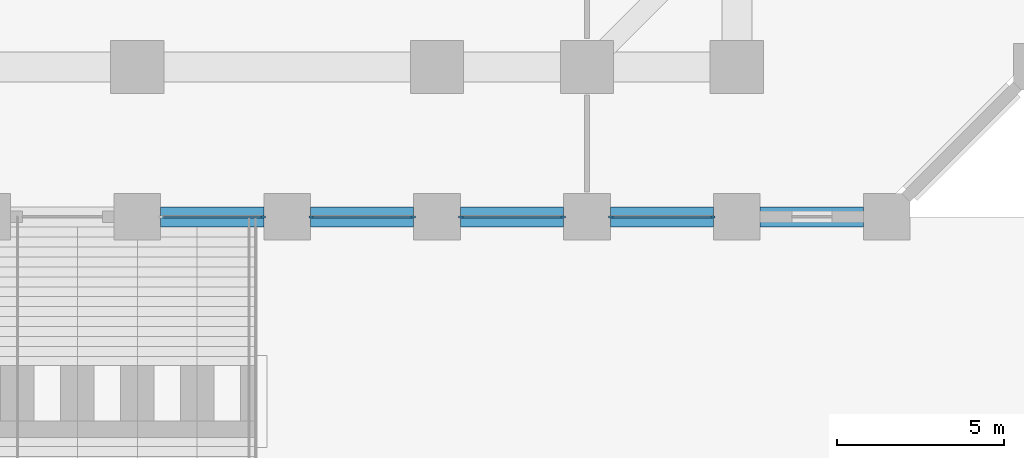
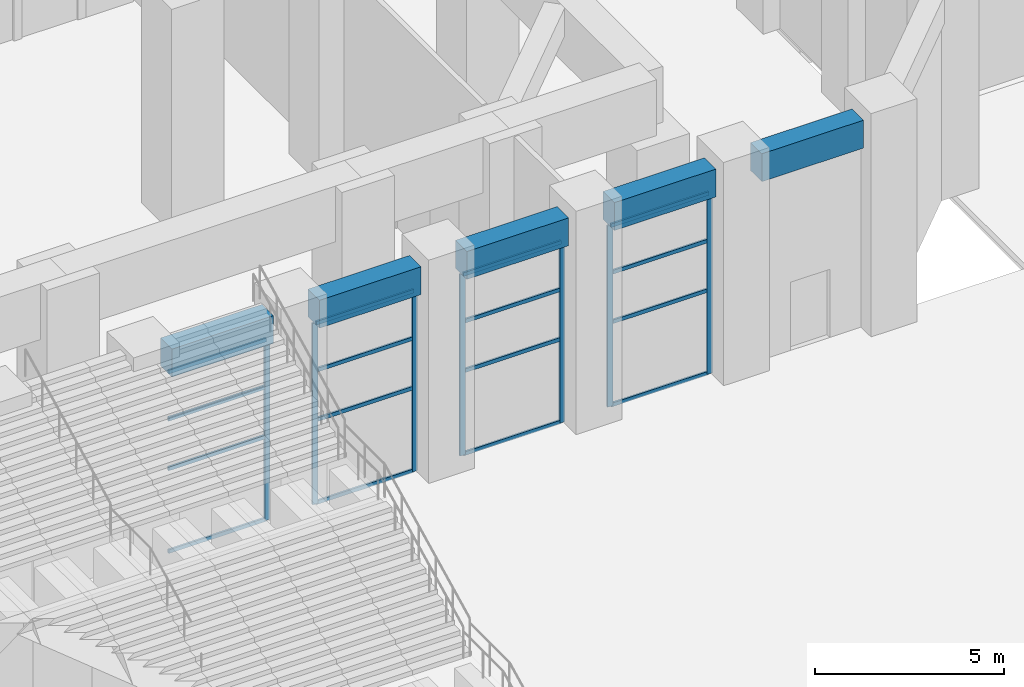
# One storey, part 4 of 30: 23 members, 5 beams, 4 elements without a shape of their own.
"""IFC4 building model written with IfcOpenShell, lengths in metres."""

from ifc_helpers import new_model, si_unit, direction, frame, origin, origin_2d, place, context, subcontext, project, spatial, rectangle, extrude, material, material_profile, profile_set, type_object, element, aggregate, save


model = new_model("IFC4")

# Units and contexts
model_context = context("Model", 3, precision=1e-05, world=origin(), true_north=direction((0.0, 1.0)))
body_context = subcontext(model_context, "Body", "Model", "MODEL_VIEW")
ifc_project = project(units=[si_unit("LENGTHUNIT", "METRE"), si_unit("AREAUNIT", "SQUARE_METRE"), si_unit("VOLUMEUNIT", "CUBIC_METRE"), si_unit("PLANEANGLEUNIT", "RADIAN"), si_unit("MASSUNIT", "GRAM", prefix="KILO")], contexts=[model_context])

# Site, building, storey
site_placement = place(None, origin())
site = spatial("IfcSite", under=ifc_project, at=site_placement, CompositionType="ELEMENT")
building_placement = place(site_placement, origin())
building = spatial("IfcBuilding", under=site, at=building_placement, Name="Corbel Stack Research Tower", CompositionType="ELEMENT")
storey_placement = place(building_placement, origin())
storey = spatial("IfcBuildingStorey", under=building, at=storey_placement, Name="L00", CompositionType="ELEMENT", Elevation=0.0)

# Curtain wall, member
ifc_material_1 = material(Name="Aluminium frame, clear glass", Category="aluminium")
curtain_wall_type = type_object("IfcCurtainWallType", Name="Storefront curtain wall CW1", PredefinedType="NOTDEFINED", material=ifc_material_1)
curtain_wall_1_placement = place(storey_placement, origin())
curtain_wall_1 = element("IfcCurtainWall", 1, at=curtain_wall_1_placement, inside=storey, type_object=curtain_wall_type, Name="Storefront curtain wall CW1 S09", PredefinedType="NOTDEFINED")
ifc_material_2 = material(Name="Aluminium mullion", Category="aluminium")
ifc_material_profile_1 = material_profile(ifc_material_2, rectangle(XDim=0.06005859375, YDim=0.159912109375, at=origin_2d()), Name="Mullion 60 x 160")
ifc_profile_set_1 = profile_set([ifc_material_profile_1], Name="Aluminium mullion")
member_type_1 = type_object("IfcMemberType", Name="Curtain wall mullion 60 x 160", PredefinedType="MULLION", material=ifc_profile_set_1)
member_1_placement = place(storey_placement, frame((12.77001953125, -31.5, 0.0), z_axis=(0.0, 0.0, 1.0), x_axis=(0.0, 1.0, 0.0)))
member_1 = element("IfcMember", 2, at=member_1_placement, type_object=member_type_1, Name="CW1 S09 mullion 2", PredefinedType="MULLION", context=body_context, shape_type="SweptSolid", body=[
    extrude(rectangle(XDim=0.06005859375, YDim=0.159912109375, at=origin_2d()), origin(), (0.0, 0.0, 1.0), 5.85009765625),
])

# Curtain wall, members
curtain_wall_2_placement = place(storey_placement, origin())
curtain_wall_2 = element("IfcCurtainWall", 3, at=curtain_wall_2_placement, inside=storey, type_object=curtain_wall_type, Name="Storefront curtain wall CW1 S10", PredefinedType="NOTDEFINED")
member_2_placement = place(storey_placement, frame((14.22998046875, -31.5, 0.0), z_axis=(0.0, 0.0, 1.0), x_axis=(0.0, 1.0, 0.0)))
member_2 = element("IfcMember", 4, at=member_2_placement, type_object=member_type_1, Name="CW1 S10 mullion 1", PredefinedType="MULLION", context=body_context, shape_type="SweptSolid", body=[
    extrude(rectangle(XDim=0.06005859375, YDim=0.159912109375, at=origin_2d()), origin(), (0.0, 0.0, 1.0), 5.85009765625),
])
member_3_placement = place(storey_placement, frame((17.27001953125, -31.5, 0.0), z_axis=(0.0, 0.0, 1.0), x_axis=(0.0, 1.0, 0.0)))
member_3 = element("IfcMember", 5, at=member_3_placement, type_object=member_type_1, Name="CW1 S10 mullion 2", PredefinedType="MULLION", context=body_context, shape_type="SweptSolid", body=[
    extrude(rectangle(XDim=0.06005859375, YDim=0.159912109375, at=origin_2d()), origin(), (0.0, 0.0, 1.0), 5.85009765625),
])

curtain_wall_3_placement = place(storey_placement, origin())
curtain_wall_3 = element("IfcCurtainWall", 6, at=curtain_wall_3_placement, inside=storey, type_object=curtain_wall_type, Name="Storefront curtain wall CW1 S11", PredefinedType="NOTDEFINED")
member_4_placement = place(storey_placement, frame((18.72998046875, -31.5, 0.0), z_axis=(0.0, 0.0, 1.0), x_axis=(0.0, 1.0, 0.0)))
member_4 = element("IfcMember", 7, at=member_4_placement, type_object=member_type_1, Name="CW1 S11 mullion 1", PredefinedType="MULLION", context=body_context, shape_type="SweptSolid", body=[
    extrude(rectangle(XDim=0.06005859375, YDim=0.159912109375, at=origin_2d()), origin(), (0.0, 0.0, 1.0), 5.85009765625),
])
member_5_placement = place(storey_placement, frame((21.77001953125, -31.5, 0.0), z_axis=(0.0, 0.0, 1.0), x_axis=(0.0, 1.0, 0.0)))
member_5 = element("IfcMember", 8, at=member_5_placement, type_object=member_type_1, Name="CW1 S11 mullion 2", PredefinedType="MULLION", context=body_context, shape_type="SweptSolid", body=[
    extrude(rectangle(XDim=0.06005859375, YDim=0.159912109375, at=origin_2d()), origin(), (0.0, 0.0, 1.0), 5.85009765625),
])

curtain_wall_4_placement = place(storey_placement, origin())
curtain_wall_4 = element("IfcCurtainWall", 9, at=curtain_wall_4_placement, inside=storey, type_object=curtain_wall_type, Name="Storefront curtain wall CW1 S12", PredefinedType="NOTDEFINED")
member_6_placement = place(storey_placement, frame((23.22998046875, -31.5, 0.0), z_axis=(0.0, 0.0, 1.0), x_axis=(0.0, 1.0, 0.0)))
member_6 = element("IfcMember", 10, at=member_6_placement, type_object=member_type_1, Name="CW1 S12 mullion 1", PredefinedType="MULLION", context=body_context, shape_type="SweptSolid", body=[
    extrude(rectangle(XDim=0.06005859375, YDim=0.159912109375, at=origin_2d()), origin(), (0.0, 0.0, 1.0), 5.85009765625),
])
member_7_placement = place(storey_placement, frame((26.27001953125, -31.5, 0.0), z_axis=(0.0, 0.0, 1.0), x_axis=(0.0, 1.0, 0.0)))
member_7 = element("IfcMember", 11, at=member_7_placement, type_object=member_type_1, Name="CW1 S12 mullion 2", PredefinedType="MULLION", context=body_context, shape_type="SweptSolid", body=[
    extrude(rectangle(XDim=0.06005859375, YDim=0.159912109375, at=origin_2d()), origin(), (0.0, 0.0, 1.0), 5.85009765625),
])

# Member
ifc_material_3 = material(Name="Aluminium transom", Category="aluminium")
ifc_material_profile_2 = material_profile(ifc_material_3, rectangle(XDim=0.06005859375, YDim=0.1201171875, at=origin_2d()), Name="Transom 60 x 120")
ifc_profile_set_2 = profile_set([ifc_material_profile_2], Name="Aluminium transom")
member_type_2 = type_object("IfcMemberType", Name="Curtain wall transom 60 x 120", PredefinedType="USERDEFINED", material=ifc_profile_set_2)
member_8_placement = place(storey_placement, frame((9.760009765625, -31.5, 0.030029296875), z_axis=(1.0, 0.0, 0.0), x_axis=(0.0, 1.0, 0.0)))
member_8 = element("IfcMember", 12, at=member_8_placement, type_object=member_type_2, Name="CW1 S09 transom 1.1", ObjectType="TRANSOM", PredefinedType="USERDEFINED", context=body_context, shape_type="SweptSolid", body=[
    extrude(rectangle(XDim=0.06005859375, YDim=0.1201171875, at=origin_2d()), origin(), (0.0, 0.0, 1.0), 2.97998046875),
])

member_9_placement = place(storey_placement, frame((9.760009765625, -31.5, 2.699951171875), z_axis=(1.0, 0.0, 0.0), x_axis=(0.0, 1.0, 0.0)))
member_9 = element("IfcMember", 13, at=member_9_placement, type_object=member_type_2, Name="CW1 S09 transom 1.2", ObjectType="TRANSOM", PredefinedType="USERDEFINED", context=body_context, shape_type="SweptSolid", body=[
    extrude(rectangle(XDim=0.06005859375, YDim=0.1201171875, at=origin_2d()), origin(), (0.0, 0.0, 1.0), 2.97998046875),
])

member_10_placement = place(storey_placement, frame((9.760009765625, -31.5, 4.300048828125), z_axis=(1.0, 0.0, 0.0), x_axis=(0.0, 1.0, 0.0)))
member_10 = element("IfcMember", 14, at=member_10_placement, type_object=member_type_2, Name="CW1 S09 transom 1.3", ObjectType="TRANSOM", PredefinedType="USERDEFINED", context=body_context, shape_type="SweptSolid", body=[
    extrude(rectangle(XDim=0.06005859375, YDim=0.1201171875, at=origin_2d()), origin(), (0.0, 0.0, 1.0), 2.97998046875),
])

member_11_placement = place(storey_placement, frame((9.760009765625, -31.5, 5.820068359375), z_axis=(1.0, 0.0, 0.0), x_axis=(0.0, 1.0, 0.0)))
member_11 = element("IfcMember", 15, at=member_11_placement, type_object=member_type_2, Name="CW1 S09 transom 1.4", ObjectType="TRANSOM", PredefinedType="USERDEFINED", context=body_context, shape_type="SweptSolid", body=[
    extrude(rectangle(XDim=0.06005859375, YDim=0.1201171875, at=origin_2d()), origin(), (0.0, 0.0, 1.0), 2.97998046875),
])

aggregate(curtain_wall_1, [member_1, member_8, member_9, member_10, member_11])

member_12_placement = place(storey_placement, frame((14.260009765625, -31.5, 0.030029296875), z_axis=(1.0, 0.0, 0.0), x_axis=(0.0, 1.0, 0.0)))
member_12 = element("IfcMember", 16, at=member_12_placement, type_object=member_type_2, Name="CW1 S10 transom 1.1", ObjectType="TRANSOM", PredefinedType="USERDEFINED", context=body_context, shape_type="SweptSolid", body=[
    extrude(rectangle(XDim=0.06005859375, YDim=0.1201171875, at=origin_2d()), origin(), (0.0, 0.0, 1.0), 2.97998046875),
])

member_13_placement = place(storey_placement, frame((14.260009765625, -31.5, 2.699951171875), z_axis=(1.0, 0.0, 0.0), x_axis=(0.0, 1.0, 0.0)))
member_13 = element("IfcMember", 17, at=member_13_placement, type_object=member_type_2, Name="CW1 S10 transom 1.2", ObjectType="TRANSOM", PredefinedType="USERDEFINED", context=body_context, shape_type="SweptSolid", body=[
    extrude(rectangle(XDim=0.06005859375, YDim=0.1201171875, at=origin_2d()), origin(), (0.0, 0.0, 1.0), 2.97998046875),
])

member_14_placement = place(storey_placement, frame((14.260009765625, -31.5, 4.300048828125), z_axis=(1.0, 0.0, 0.0), x_axis=(0.0, 1.0, 0.0)))
member_14 = element("IfcMember", 18, at=member_14_placement, type_object=member_type_2, Name="CW1 S10 transom 1.3", ObjectType="TRANSOM", PredefinedType="USERDEFINED", context=body_context, shape_type="SweptSolid", body=[
    extrude(rectangle(XDim=0.06005859375, YDim=0.1201171875, at=origin_2d()), origin(), (0.0, 0.0, 1.0), 2.97998046875),
])

member_15_placement = place(storey_placement, frame((14.260009765625, -31.5, 5.820068359375), z_axis=(1.0, 0.0, 0.0), x_axis=(0.0, 1.0, 0.0)))
member_15 = element("IfcMember", 19, at=member_15_placement, type_object=member_type_2, Name="CW1 S10 transom 1.4", ObjectType="TRANSOM", PredefinedType="USERDEFINED", context=body_context, shape_type="SweptSolid", body=[
    extrude(rectangle(XDim=0.06005859375, YDim=0.1201171875, at=origin_2d()), origin(), (0.0, 0.0, 1.0), 2.97998046875),
])

aggregate(curtain_wall_2, [member_2, member_3, member_12, member_13, member_14, member_15])

member_16_placement = place(storey_placement, frame((18.760009765625, -31.5, 0.030029296875), z_axis=(1.0, 0.0, 0.0), x_axis=(0.0, 1.0, 0.0)))
member_16 = element("IfcMember", 20, at=member_16_placement, type_object=member_type_2, Name="CW1 S11 transom 1.1", ObjectType="TRANSOM", PredefinedType="USERDEFINED", context=body_context, shape_type="SweptSolid", body=[
    extrude(rectangle(XDim=0.06005859375, YDim=0.1201171875, at=origin_2d()), origin(), (0.0, 0.0, 1.0), 2.97998046875),
])

member_17_placement = place(storey_placement, frame((18.760009765625, -31.5, 2.699951171875), z_axis=(1.0, 0.0, 0.0), x_axis=(0.0, 1.0, 0.0)))
member_17 = element("IfcMember", 21, at=member_17_placement, type_object=member_type_2, Name="CW1 S11 transom 1.2", ObjectType="TRANSOM", PredefinedType="USERDEFINED", context=body_context, shape_type="SweptSolid", body=[
    extrude(rectangle(XDim=0.06005859375, YDim=0.1201171875, at=origin_2d()), origin(), (0.0, 0.0, 1.0), 2.97998046875),
])

member_18_placement = place(storey_placement, frame((18.760009765625, -31.5, 4.300048828125), z_axis=(1.0, 0.0, 0.0), x_axis=(0.0, 1.0, 0.0)))
member_18 = element("IfcMember", 22, at=member_18_placement, type_object=member_type_2, Name="CW1 S11 transom 1.3", ObjectType="TRANSOM", PredefinedType="USERDEFINED", context=body_context, shape_type="SweptSolid", body=[
    extrude(rectangle(XDim=0.06005859375, YDim=0.1201171875, at=origin_2d()), origin(), (0.0, 0.0, 1.0), 2.97998046875),
])

member_19_placement = place(storey_placement, frame((18.760009765625, -31.5, 5.820068359375), z_axis=(1.0, 0.0, 0.0), x_axis=(0.0, 1.0, 0.0)))
member_19 = element("IfcMember", 23, at=member_19_placement, type_object=member_type_2, Name="CW1 S11 transom 1.4", ObjectType="TRANSOM", PredefinedType="USERDEFINED", context=body_context, shape_type="SweptSolid", body=[
    extrude(rectangle(XDim=0.06005859375, YDim=0.1201171875, at=origin_2d()), origin(), (0.0, 0.0, 1.0), 2.97998046875),
])

aggregate(curtain_wall_3, [member_4, member_5, member_16, member_17, member_18, member_19])

member_20_placement = place(storey_placement, frame((23.260009765625, -31.5, 0.030029296875), z_axis=(1.0, 0.0, 0.0), x_axis=(0.0, 1.0, 0.0)))
member_20 = element("IfcMember", 24, at=member_20_placement, type_object=member_type_2, Name="CW1 S12 transom 1.1", ObjectType="TRANSOM", PredefinedType="USERDEFINED", context=body_context, shape_type="SweptSolid", body=[
    extrude(rectangle(XDim=0.06005859375, YDim=0.1201171875, at=origin_2d()), origin(), (0.0, 0.0, 1.0), 2.97998046875),
])

member_21_placement = place(storey_placement, frame((23.260009765625, -31.5, 2.699951171875), z_axis=(1.0, 0.0, 0.0), x_axis=(0.0, 1.0, 0.0)))
member_21 = element("IfcMember", 25, at=member_21_placement, type_object=member_type_2, Name="CW1 S12 transom 1.2", ObjectType="TRANSOM", PredefinedType="USERDEFINED", context=body_context, shape_type="SweptSolid", body=[
    extrude(rectangle(XDim=0.06005859375, YDim=0.1201171875, at=origin_2d()), origin(), (0.0, 0.0, 1.0), 2.97998046875),
])

member_22_placement = place(storey_placement, frame((23.260009765625, -31.5, 4.300048828125), z_axis=(1.0, 0.0, 0.0), x_axis=(0.0, 1.0, 0.0)))
member_22 = element("IfcMember", 26, at=member_22_placement, type_object=member_type_2, Name="CW1 S12 transom 1.3", ObjectType="TRANSOM", PredefinedType="USERDEFINED", context=body_context, shape_type="SweptSolid", body=[
    extrude(rectangle(XDim=0.06005859375, YDim=0.1201171875, at=origin_2d()), origin(), (0.0, 0.0, 1.0), 2.97998046875),
])

member_23_placement = place(storey_placement, frame((23.260009765625, -31.5, 5.820068359375), z_axis=(1.0, 0.0, 0.0), x_axis=(0.0, 1.0, 0.0)))
member_23 = element("IfcMember", 27, at=member_23_placement, type_object=member_type_2, Name="CW1 S12 transom 1.4", ObjectType="TRANSOM", PredefinedType="USERDEFINED", context=body_context, shape_type="SweptSolid", body=[
    extrude(rectangle(XDim=0.06005859375, YDim=0.1201171875, at=origin_2d()), origin(), (0.0, 0.0, 1.0), 2.97998046875),
])

aggregate(curtain_wall_4, [member_6, member_7, member_20, member_21, member_22, member_23])

# Beams
ifc_material_4 = material(Name="Concrete C60/75", Category="concrete")
ifc_material_profile_3 = material_profile(ifc_material_4, rectangle(XDim=0.60009765625, YDim=0.89990234375, at=origin_2d()), Name="RC 600 x 900")
ifc_profile_set_3 = profile_set([ifc_material_profile_3], Name="Concrete C60/75")
beam_type = type_object("IfcBeamType", Name="SB-600-900-450", PredefinedType="SPANDREL", material=ifc_profile_set_3)
for number, where, z_axis, x_axis, name in (
    (28, (9.699951171875, -31.5, 6.300048828125), (1.0, 0.0, 0.0), (0.0, 1.0, 0.0), "Spandrel beam L00-09"),
    (29, (14.199951171875, -31.5, 6.300048828125), (1.0, 0.0, 0.0), (0.0, 1.0, 0.0), "Spandrel beam L00-10"),
    (30, (18.699951171875, -31.5, 6.300048828125), (1.0, 0.0, 0.0), (0.0, 1.0, 0.0), "Spandrel beam L00-11"),
    (31, (23.199951171875, -31.5, 6.300048828125), (1.0, 0.0, 0.0), (0.0, 1.0, 0.0), "Spandrel beam L00-12"),
    (32, (27.699951171875, -31.5, 6.300048828125), (1.0, 0.0, 0.0), (0.0, 1.0, 0.0), "Spandrel beam L00-13"),
):
    element("IfcBeam", number, at=place(storey_placement, frame(where, z_axis=z_axis, x_axis=x_axis)), inside=storey, type_object=beam_type, Name=name, PredefinedType="SPANDREL", context=body_context, shape_type="SweptSolid", body=[
        extrude(rectangle(XDim=0.60009765625, YDim=0.89990234375, at=origin_2d()), origin(), (0.0, 0.0, 1.0), 3.10009765625),
    ])

save(model, "model.ifc")
